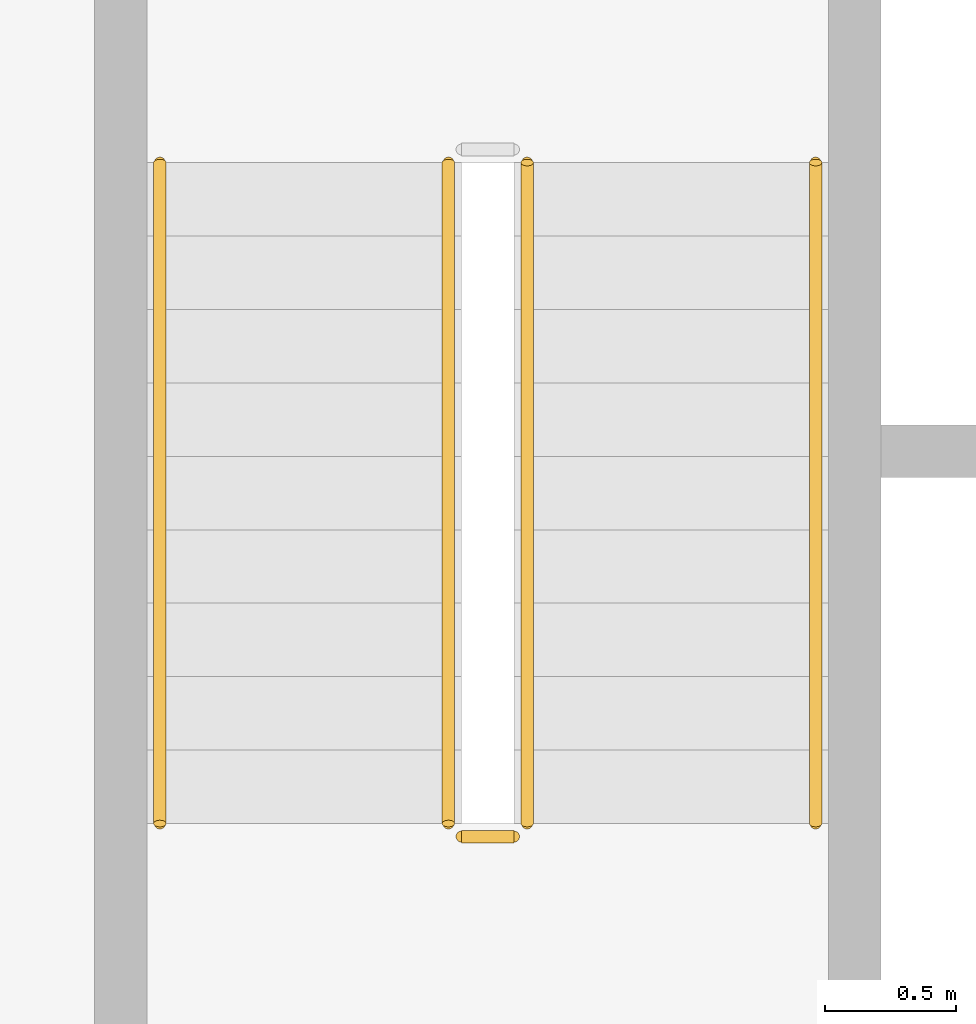
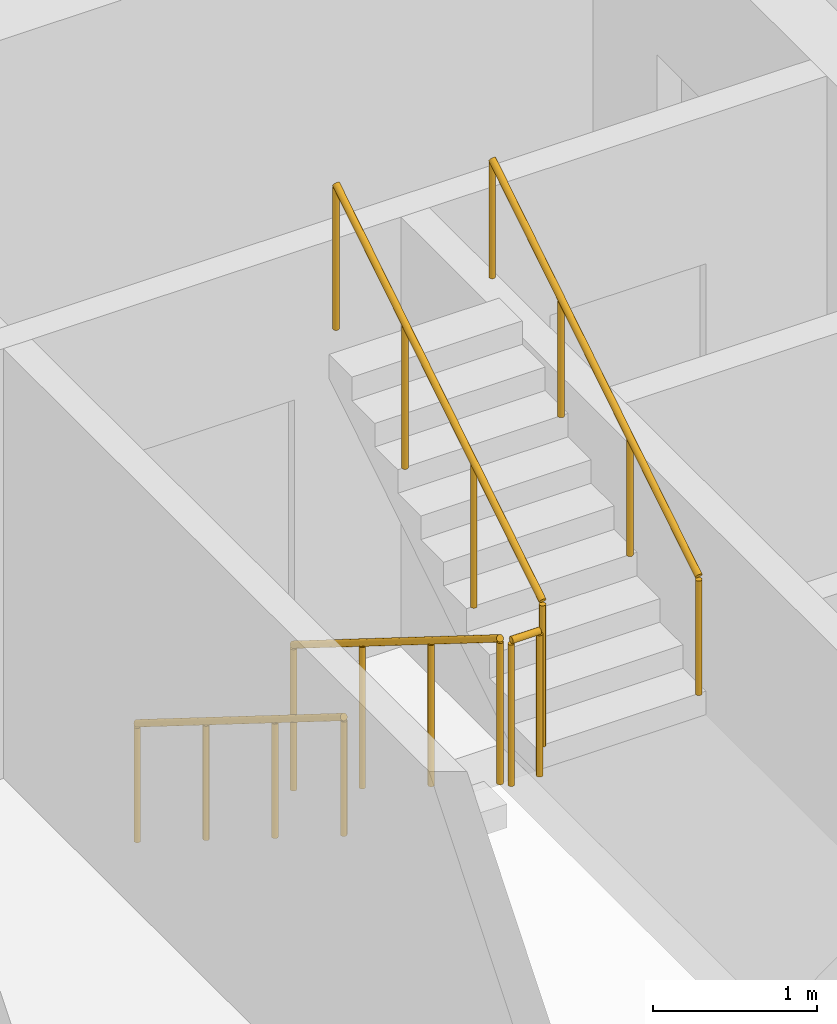
# One storey, part 15 of 22: 5 railings.
"""IFC4 building model written with IfcOpenShell, lengths in metres."""

from ifc_helpers import new_model, si_unit, direction, frame, origin, origin_2d, place, context, subcontext, project, spatial, circle, extrude, material, type_object, element, save


model = new_model("IFC4")

# Units and contexts
model_context = context("Model", 3, precision=1e-05, world=origin(), true_north=direction((0.0, 1.0)))
body_context = subcontext(model_context, "Body", "Model", "MODEL_VIEW")
ifc_project = project(units=[si_unit("LENGTHUNIT", "METRE"), si_unit("AREAUNIT", "SQUARE_METRE"), si_unit("VOLUMEUNIT", "CUBIC_METRE"), si_unit("PLANEANGLEUNIT", "RADIAN"), si_unit("MASSUNIT", "GRAM", prefix="KILO")], contexts=[model_context])

# Site, building, storey
site_placement = place(None, origin())
site = spatial("IfcSite", under=ifc_project, at=site_placement, CompositionType="ELEMENT")
building_placement = place(site_placement, origin())
building = spatial("IfcBuilding", under=site, at=building_placement, Name="Kiln Ring Residences", CompositionType="ELEMENT")
storey_placement = place(building_placement, frame((0.0, 0.0, 167.60009765625)))
storey = spatial("IfcBuildingStorey", under=building, at=storey_placement, Name="L43", CompositionType="ELEMENT", Elevation=167.60009765625)

# Railings
ifc_material_1 = material(Name="Stainless steel", Category="steel")
railing_type_1 = type_object("IfcRailingType", Name="CORE-STAIR-GUARD", PredefinedType="GUARDRAIL", material=ifc_material_1)
railing_1_placement = place(storey_placement, frame((-22.25, 8.39990234375, 0.1748046875)))
element("IfcRailing", 1, at=railing_1_placement, inside=storey, type_object=railing_type_1, Name="L43 W-STN stair guard 1", PredefinedType="GUARDRAIL", context=body_context, shape_type="SweptSolid", body=[
    extrude(circle(Radius=0.02392578125, at=origin_2d()), frame((0.0, 0.0, 1.076171875), z_axis=(0.0, -0.847970611238, 0.530043245855), x_axis=(1.0, 0.0, 0.0)), (0.0, 0.0, 1.0), 2.971923828125),
    extrude(circle(Radius=0.02099609375, at=origin_2d()), origin(), (0.0, 0.0, 1.0), 1.052001953125),
    extrude(circle(Radius=0.02099609375, at=origin_2d()), frame((0.0, -0.840087890625, 0.525146484375)), (0.0, 0.0, 1.0), 1.052001953125),
    extrude(circle(Radius=0.02099609375, at=origin_2d()), frame((0.0, -1.679931640625, 1.050048828125)), (0.0, 0.0, 1.0), 1.052001953125),
    extrude(circle(Radius=0.02099609375, at=origin_2d()), frame((0.0, -2.52001953125, 1.5751953125)), (0.0, 0.0, 1.0), 1.052001953125),
])
railing_2_placement = place(storey_placement, frame((-22.199951171875, 5.830078125, 1.75)))
element("IfcRailing", 2, at=railing_2_placement, inside=storey, type_object=railing_type_1, Name="L43 W-STN stair guard 2", PredefinedType="GUARDRAIL", context=body_context, shape_type="SweptSolid", body=[
    extrude(circle(Radius=0.02392578125, at=origin_2d()), frame((0.0, 0.0, 1.076171875), z_axis=(1.0, 0.0, 0.0), x_axis=(0.0, 1.0, 0.0)), (0.0, 0.0, 1.0), 0.199951171875),
    extrude(circle(Radius=0.02099609375, at=origin_2d()), origin(), (0.0, 0.0, 1.0), 1.052001953125),
    extrude(circle(Radius=0.02099609375, at=origin_2d()), frame((0.199951171875, 0.0, 0.0)), (0.0, 0.0, 1.0), 1.052001953125),
])
railing_3_placement = place(storey_placement, frame((-21.949951171875, 5.8798828125, 1.9248046875)))
element("IfcRailing", 3, at=railing_3_placement, inside=storey, type_object=railing_type_1, Name="L43 W-STN stair guard 3", PredefinedType="GUARDRAIL", context=body_context, shape_type="SweptSolid", body=[
    extrude(circle(Radius=0.02392578125, at=origin_2d()), frame((0.0, 0.0, 1.076171875), z_axis=(0.0, 0.847970611238, 0.530043245855), x_axis=(-1.0, 0.0, 0.0)), (0.0, 0.0, 1.0), 2.971923828125),
    extrude(circle(Radius=0.02099609375, at=origin_2d()), origin(), (0.0, 0.0, 1.0), 1.052001953125),
    extrude(circle(Radius=0.02099609375, at=origin_2d()), frame((0.0, 0.840087890625, 0.525146484375)), (0.0, 0.0, 1.0), 1.052001953125),
    extrude(circle(Radius=0.02099609375, at=origin_2d()), frame((0.0, 1.679931640625, 1.050048828125)), (0.0, 0.0, 1.0), 1.052001953125),
    extrude(circle(Radius=0.02099609375, at=origin_2d()), frame((0.0, 2.52001953125, 1.5751953125)), (0.0, 0.0, 1.0), 1.052001953125),
])
ifc_material_2 = material(Name="Stainless steel", Category="steel")
railing_type_2 = type_object("IfcRailingType", Name="CORE-STAIR-HANDRAIL", PredefinedType="HANDRAIL", material=ifc_material_2)
railing_4_placement = place(storey_placement, frame((-23.35009765625, 8.39990234375, 0.1748046875)))
element("IfcRailing", 4, at=railing_4_placement, inside=storey, type_object=railing_type_2, Name="L43 W-STN stair handrail 1", PredefinedType="HANDRAIL", context=body_context, shape_type="SweptSolid", body=[
    extrude(circle(Radius=0.02392578125, at=origin_2d()), frame((0.0, 0.0, 0.8759765625), z_axis=(0.0, -0.847970611238, 0.530043245855), x_axis=(1.0, 0.0, 0.0)), (0.0, 0.0, 1.0), 2.971923828125),
    extrude(circle(Radius=0.02099609375, at=origin_2d()), origin(), (0.0, 0.0, 1.0), 0.851806640625),
    extrude(circle(Radius=0.02099609375, at=origin_2d()), frame((0.0, -0.840087890625, 0.525146484375)), (0.0, 0.0, 1.0), 0.851806640625),
    extrude(circle(Radius=0.02099609375, at=origin_2d()), frame((0.0, -1.679931640625, 1.050048828125)), (0.0, 0.0, 1.0), 0.851806640625),
    extrude(circle(Radius=0.02099609375, at=origin_2d()), frame((0.0, -2.52001953125, 1.5751953125)), (0.0, 0.0, 1.0), 0.851806640625),
])
railing_5_placement = place(storey_placement, frame((-20.85009765625, 5.8798828125, 1.9248046875)))
element("IfcRailing", 5, at=railing_5_placement, inside=storey, type_object=railing_type_2, Name="L43 W-STN stair handrail 2", PredefinedType="HANDRAIL", context=body_context, shape_type="SweptSolid", body=[
    extrude(circle(Radius=0.02392578125, at=origin_2d()), frame((0.0, 0.0, 0.8759765625), z_axis=(0.0, 0.847970611238, 0.530043245855), x_axis=(-1.0, 0.0, 0.0)), (0.0, 0.0, 1.0), 2.971923828125),
    extrude(circle(Radius=0.02099609375, at=origin_2d()), origin(), (0.0, 0.0, 1.0), 0.851806640625),
    extrude(circle(Radius=0.02099609375, at=origin_2d()), frame((0.0, 0.840087890625, 0.525146484375)), (0.0, 0.0, 1.0), 0.851806640625),
    extrude(circle(Radius=0.02099609375, at=origin_2d()), frame((0.0, 1.679931640625, 1.050048828125)), (0.0, 0.0, 1.0), 0.851806640625),
    extrude(circle(Radius=0.02099609375, at=origin_2d()), frame((0.0, 2.52001953125, 1.5751953125)), (0.0, 0.0, 1.0), 0.851806640625),
])

save(model, "model.ifc")
